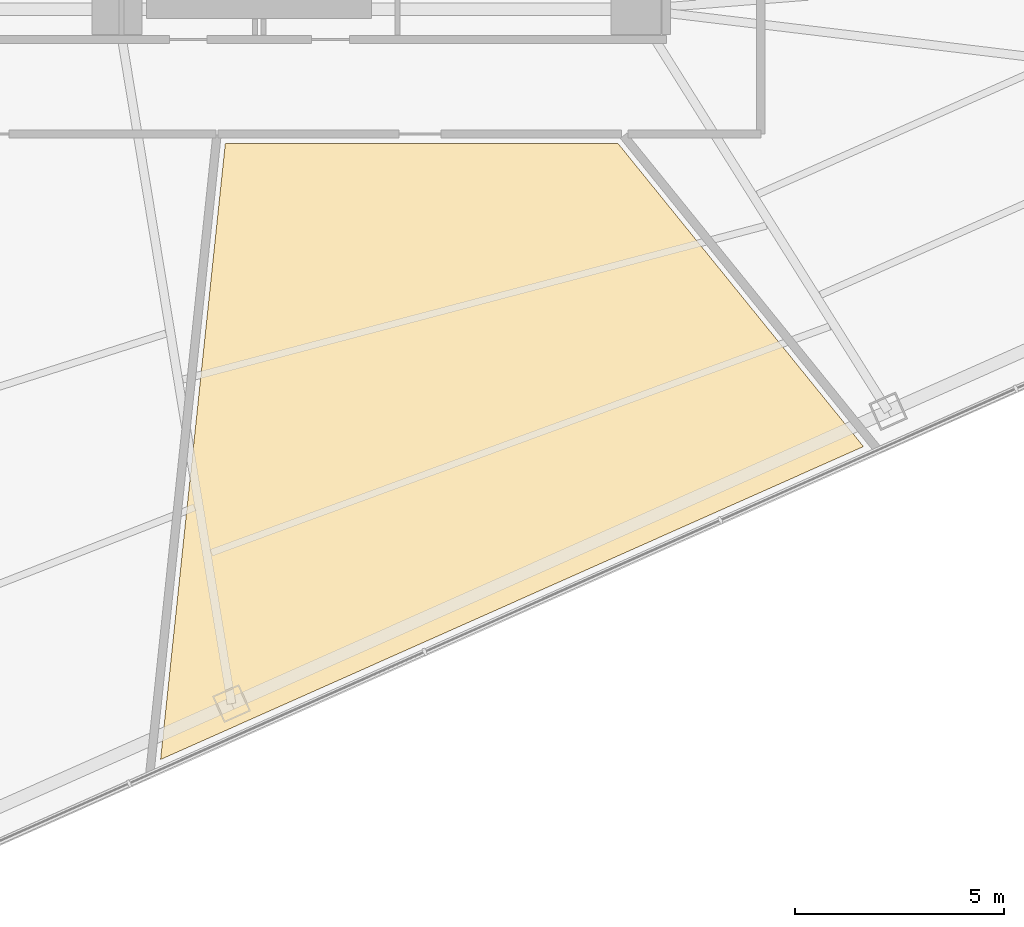
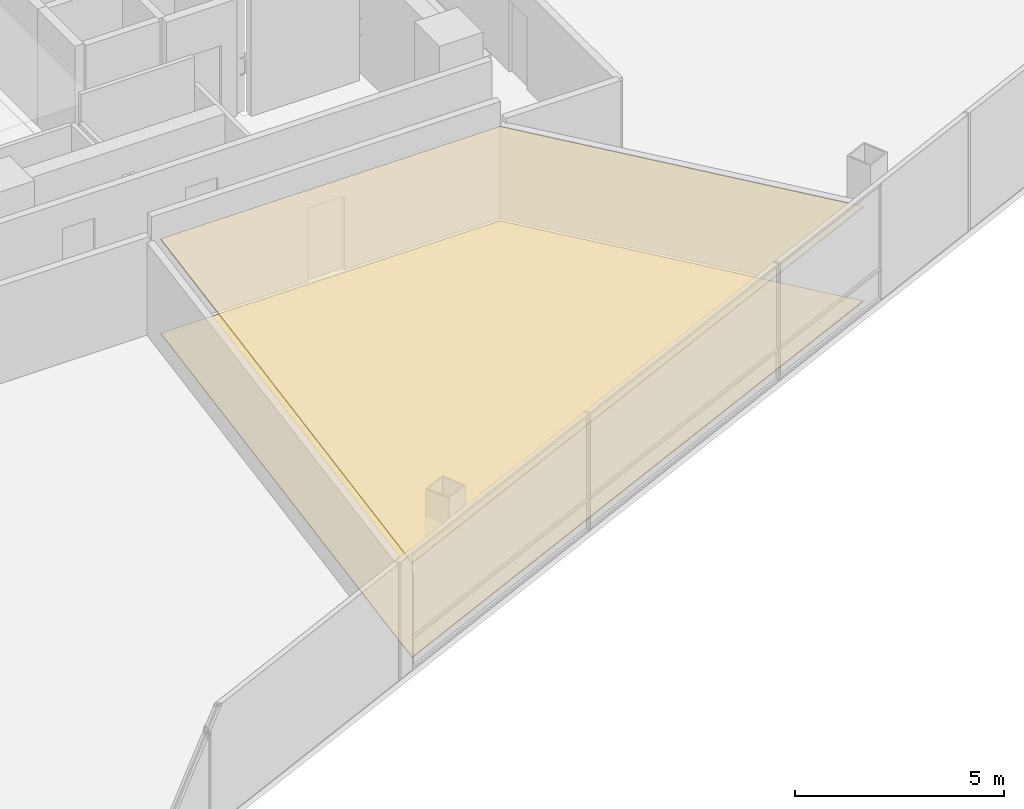
# One storey, part 14 of 17: 2 coverings.
"""IFC4 building model written with IfcOpenShell, lengths in metres."""

from ifc_helpers import new_model, si_unit, direction, frame, origin, place, context, subcontext, project, spatial, polyline, outline, extrude, material, layer, layer_set, type_object, element, save


model = new_model("IFC4")

# Units and contexts
model_context = context("Model", 3, precision=1e-05, world=origin(), true_north=direction((0.0, 1.0)))
body_context = subcontext(model_context, "Body", "Model", "MODEL_VIEW")
ifc_project = project(units=[si_unit("LENGTHUNIT", "METRE"), si_unit("AREAUNIT", "SQUARE_METRE"), si_unit("VOLUMEUNIT", "CUBIC_METRE"), si_unit("PLANEANGLEUNIT", "RADIAN"), si_unit("MASSUNIT", "GRAM", prefix="KILO")], contexts=[model_context])

# Site, building, storey
site_placement = place(None, origin())
site = spatial("IfcSite", under=ifc_project, at=site_placement, CompositionType="ELEMENT")
building_placement = place(site_placement, origin())
building = spatial("IfcBuilding", under=site, at=building_placement, Name="Tharavind Bronze Gate", CompositionType="ELEMENT")
storey_placement = place(building_placement, frame((0.0, 0.0, 119.64990234375)))
storey = spatial("IfcBuildingStorey", under=building, at=storey_placement, Name="L30", CompositionType="ELEMENT", Elevation=119.64990234375)

# Coverings
ifc_material_1 = material(Name="Engineered Oak & Carpet Tile", Category="wood")
ifc_layer_1 = layer(ifc_material_1, 0.02490234375)
ifc_layer_set_1 = layer_set([ifc_layer_1], Name="Engineered Oak & Carpet Tile")
covering_type_1 = type_object("IfcCoveringType", Name="ENGINEERED TIMBER FLOORING", PredefinedType="FLOORING", material=ifc_layer_set_1)
covering_1_placement = place(storey_placement, origin())
element("IfcCovering", 1, at=covering_1_placement, inside=storey, type_object=covering_type_1, Name="L30-RM-06 floor finish", PredefinedType="FLOORING", context=body_context, shape_type="SweptSolid", body=[
    extrude(outline(polyline([(14.33056640625, -18.04638671875), (8.462646484375, -10.800048828125), (-0.913818359375, -10.800048828125), (-2.461181640625, -25.522705078125), (14.33056640625, -18.04638671875)])), origin(), (0.0, 0.0, 1.0), 0.025146484375),
])
ifc_material_2 = material(Name="Acoustic Gypsum Board", Category="gypsum")
ifc_layer_2 = layer(ifc_material_2, 0.030029296875)
ifc_layer_set_2 = layer_set([ifc_layer_2], Name="Acoustic Gypsum Board")
covering_type_2 = type_object("IfcCoveringType", Name="GYPSUM SUSPENDED CEILING", PredefinedType="CEILING", material=ifc_layer_set_2)
covering_2_placement = place(storey_placement, frame((0.0, 0.0, 2.75)))
element("IfcCovering", 2, at=covering_2_placement, inside=storey, type_object=covering_type_2, Name="L30-RM-06 suspended ceiling", PredefinedType="CEILING", context=body_context, shape_type="SweptSolid", body=[
    extrude(outline(polyline([(14.33056640625, -18.04638671875), (8.462646484375, -10.800048828125), (-0.913818359375, -10.800048828125), (-2.461181640625, -25.522705078125), (14.33056640625, -18.04638671875)])), origin(), (0.0, 0.0, 1.0), 0.03515625),
])

save(model, "model.ifc")
